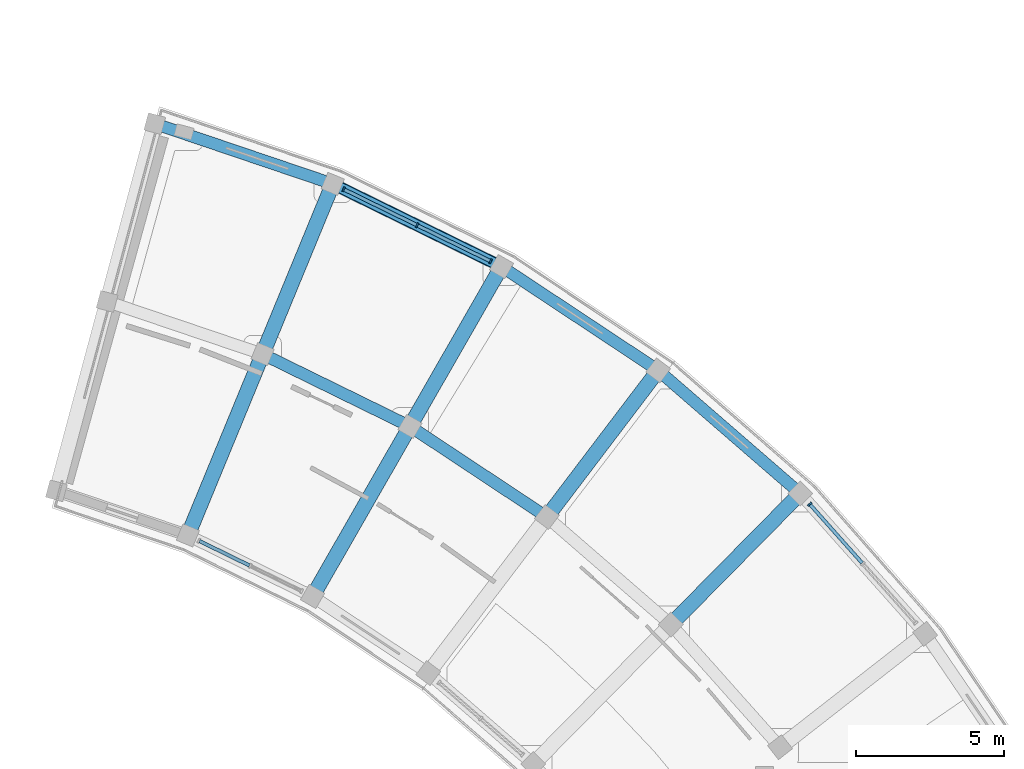
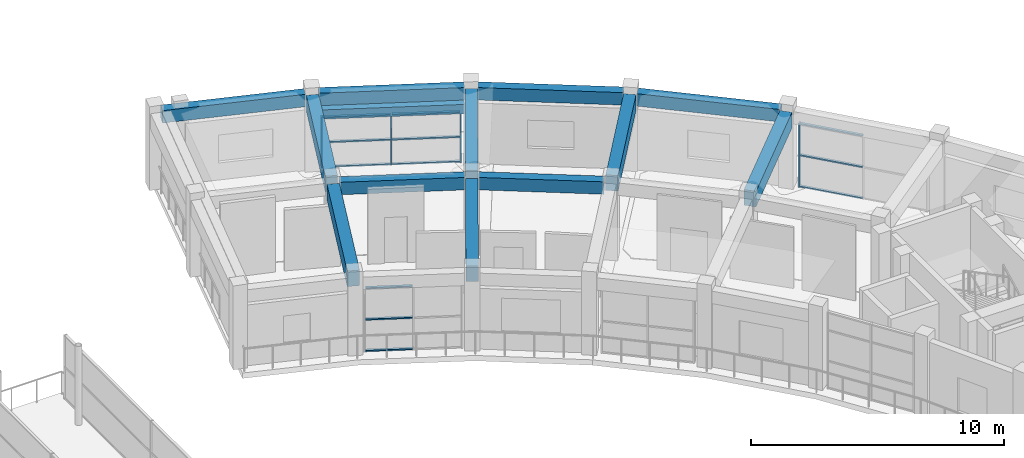
# One storey, part 36 of 72: 16 members, 13 beams, 3 elements without a shape of their own.
"""IFC4 building model written with IfcOpenShell, lengths in metres."""

from ifc_helpers import new_model, si_unit, direction, frame, origin, origin_2d, place, context, subcontext, project, spatial, rectangle, extrude, material, material_profile, profile_set, type_object, element, aggregate, save


model = new_model("IFC4")

# Units and contexts
model_context = context("Model", 3, precision=1e-05, world=origin(), true_north=direction((0.0, 1.0)))
body_context = subcontext(model_context, "Body", "Model", "MODEL_VIEW")
ifc_project = project(units=[si_unit("LENGTHUNIT", "METRE"), si_unit("AREAUNIT", "SQUARE_METRE"), si_unit("VOLUMEUNIT", "CUBIC_METRE"), si_unit("PLANEANGLEUNIT", "RADIAN"), si_unit("MASSUNIT", "GRAM", prefix="KILO")], contexts=[model_context])

# Site, building, storey
site_placement = place(None, origin())
site = spatial("IfcSite", under=ifc_project, at=site_placement, CompositionType="ELEMENT")
building_placement = place(site_placement, origin())
building = spatial("IfcBuilding", under=site, at=building_placement, Name="Saryqyr Civic Hall", CompositionType="ELEMENT")
storey_placement = place(building_placement, frame((0.0, 0.0, 17.25)))
storey = spatial("IfcBuildingStorey", under=building, at=storey_placement, Name="L04", CompositionType="ELEMENT", Elevation=17.25)

# Curtain wall, member
ifc_material_1 = material(Name="Anodised aluminium and triple low-E glass", Category="aluminium")
curtain_wall_type_1 = type_object("IfcCurtainWallType", Name="ENV-CW-STD-36", PredefinedType="NOTDEFINED", material=ifc_material_1)
curtain_wall_1_placement = place(storey_placement, origin())
curtain_wall_1 = element("IfcCurtainWall", 1, at=curtain_wall_1_placement, inside=storey, type_object=curtain_wall_type_1, Name="Curtain wall V6-CWO-L04-05", PredefinedType="NOTDEFINED")
ifc_material_2 = material(Name="Anodised aluminium", Category="aluminium")
ifc_material_profile_1 = material_profile(ifc_material_2, rectangle(XDim=0.06005859375, YDim=0.159912109375, at=origin_2d()), Name="ALU MULLION 60x160")
ifc_profile_set_1 = profile_set([ifc_material_profile_1], Name="Anodised aluminium")
member_type_1 = type_object("IfcMemberType", Name="ENV-CW-MUL-180", PredefinedType="MULLION", material=ifc_profile_set_1)
member_1_placement = place(storey_placement, frame((91.740234375, 118.514892578125, 0.0), z_axis=(0.0, 0.0, 1.0), x_axis=(0.664934159467, -0.746901977219, 0.0)))
member_1 = element("IfcMember", 2, at=member_1_placement, type_object=member_type_1, Name="CW-36 mullion 1", PredefinedType="MULLION", context=body_context, shape_type="SweptSolid", body=[
    extrude(rectangle(XDim=0.06005859375, YDim=0.159912109375, at=origin_2d()), origin(), (0.0, 0.0, 1.0), 3.0849609375),
])

# Curtain wall, members
curtain_wall_type_2 = type_object("IfcCurtainWallType", Name="ENV-CW-STD-03", PredefinedType="NOTDEFINED", material=ifc_material_1)
curtain_wall_2_placement = place(storey_placement, origin())
curtain_wall_2 = element("IfcCurtainWall", 3, at=curtain_wall_2_placement, inside=storey, type_object=curtain_wall_type_2, Name="Curtain wall V6-CWO-L04-08", PredefinedType="NOTDEFINED")
member_2_placement = place(storey_placement, frame((76.04345703125, 129.121337890625, 0.0), z_axis=(0.0, 0.0, 1.0), x_axis=(0.89797065456, -0.440055341463, 0.0)))
member_2 = element("IfcMember", 4, at=member_2_placement, type_object=member_type_1, Name="CW-03 mullion 1", PredefinedType="MULLION", context=body_context, shape_type="SweptSolid", body=[
    extrude(rectangle(XDim=0.06005859375, YDim=0.159912109375, at=origin_2d()), origin(), (0.0, 0.0, 1.0), 2.449951171875),
])
member_3_placement = place(storey_placement, frame((78.517822265625, 127.90869140625, 0.0), z_axis=(0.0, 0.0, 1.0), x_axis=(0.89797065456, -0.440055341463, 0.0)))
member_3 = element("IfcMember", 5, at=member_3_placement, type_object=member_type_1, Name="CW-03 mullion 2", PredefinedType="MULLION", context=body_context, shape_type="SweptSolid", body=[
    extrude(rectangle(XDim=0.06005859375, YDim=0.159912109375, at=origin_2d()), origin(), (0.0, 0.0, 1.0), 2.449951171875),
])
member_4_placement = place(storey_placement, frame((80.9921875, 126.696044921875, 0.0), z_axis=(0.0, 0.0, 1.0), x_axis=(0.89797065456, -0.440055341463, 0.0)))
member_4 = element("IfcMember", 6, at=member_4_placement, type_object=member_type_1, Name="CW-03 mullion 3", PredefinedType="MULLION", context=body_context, shape_type="SweptSolid", body=[
    extrude(rectangle(XDim=0.06005859375, YDim=0.159912109375, at=origin_2d()), origin(), (0.0, 0.0, 1.0), 2.449951171875),
])

# Member
ifc_material_profile_2 = material_profile(ifc_material_2, rectangle(XDim=0.1201171875, YDim=0.06005859375, at=origin_2d()), Name="ALU TRANSOM 120x60")
ifc_profile_set_2 = profile_set([ifc_material_profile_2], Name="Anodised aluminium")
member_type_2 = type_object("IfcMemberType", Name="ENV-CW-TRN-150", PredefinedType="USERDEFINED", material=ifc_profile_set_2)
member_5_placement = place(storey_placement, frame((91.76025390625, 118.492431640625, 0.030029296875), z_axis=(0.664948037302, -0.746889622159, 0.0), x_axis=(0.746889622159, 0.664948037302, 0.0)))
member_5 = element("IfcMember", 7, at=member_5_placement, type_object=member_type_2, Name="CW-36 transom 1.1", ObjectType="TRANSOM", PredefinedType="USERDEFINED", context=body_context, shape_type="SweptSolid", body=[
    extrude(rectangle(XDim=0.1201171875, YDim=0.06005859375, at=origin_2d()), origin(), (0.0, 0.0, 1.0), 2.618896484375),
])

member_6_placement = place(storey_placement, frame((91.76025390625, 118.492431640625, 1.54296875), z_axis=(0.664948037302, -0.746889622159, 0.0), x_axis=(0.746889622159, 0.664948037302, 0.0)))
member_6 = element("IfcMember", 8, at=member_6_placement, type_object=member_type_2, Name="CW-36 transom 1.2", ObjectType="TRANSOM", PredefinedType="USERDEFINED", context=body_context, shape_type="SweptSolid", body=[
    extrude(rectangle(XDim=0.1201171875, YDim=0.06005859375, at=origin_2d()), origin(), (0.0, 0.0, 1.0), 2.618896484375),
])

member_7_placement = place(storey_placement, frame((91.76025390625, 118.492431640625, 3.054931640625), z_axis=(0.664948037302, -0.746889622159, 0.0), x_axis=(0.746889622159, 0.664948037302, 0.0)))
member_7 = element("IfcMember", 9, at=member_7_placement, type_object=member_type_2, Name="CW-36 transom 1.3", ObjectType="TRANSOM", PredefinedType="USERDEFINED", context=body_context, shape_type="SweptSolid", body=[
    extrude(rectangle(XDim=0.1201171875, YDim=0.06005859375, at=origin_2d()), origin(), (0.0, 0.0, 1.0), 2.618896484375),
])

aggregate(curtain_wall_1, [member_1, member_5, member_6, member_7])

member_8_placement = place(storey_placement, frame((76.0703125, 129.108154296875, 0.030029296875), z_axis=(0.897949498933, -0.440098508706, 0.0), x_axis=(0.440098508706, 0.897949498933, 0.0)))
member_8 = element("IfcMember", 10, at=member_8_placement, type_object=member_type_2, Name="CW-03 transom 1.1", ObjectType="TRANSOM", PredefinedType="USERDEFINED", context=body_context, shape_type="SweptSolid", body=[
    extrude(rectangle(XDim=0.1201171875, YDim=0.06005859375, at=origin_2d()), origin(), (0.0, 0.0, 1.0), 2.695556640625),
])

member_9_placement = place(storey_placement, frame((76.0703125, 129.108154296875, 1.22509765625), z_axis=(0.897949498933, -0.440098508706, 0.0), x_axis=(0.440098508706, 0.897949498933, 0.0)))
member_9 = element("IfcMember", 11, at=member_9_placement, type_object=member_type_2, Name="CW-03 transom 1.2", ObjectType="TRANSOM", PredefinedType="USERDEFINED", context=body_context, shape_type="SweptSolid", body=[
    extrude(rectangle(XDim=0.1201171875, YDim=0.06005859375, at=origin_2d()), origin(), (0.0, 0.0, 1.0), 2.695556640625),
])

member_10_placement = place(storey_placement, frame((76.0703125, 129.108154296875, 2.419921875), z_axis=(0.897949498933, -0.440098508706, 0.0), x_axis=(0.440098508706, 0.897949498933, 0.0)))
member_10 = element("IfcMember", 12, at=member_10_placement, type_object=member_type_2, Name="CW-03 transom 1.3", ObjectType="TRANSOM", PredefinedType="USERDEFINED", context=body_context, shape_type="SweptSolid", body=[
    extrude(rectangle(XDim=0.1201171875, YDim=0.06005859375, at=origin_2d()), origin(), (0.0, 0.0, 1.0), 2.695556640625),
])

member_11_placement = place(storey_placement, frame((78.544677734375, 127.8955078125, 0.030029296875), z_axis=(0.89796703975, -0.440062717715, 0.0), x_axis=(0.440062717715, 0.89796703975, 0.0)))
member_11 = element("IfcMember", 13, at=member_11_placement, type_object=member_type_2, Name="CW-03 transom 2.1", ObjectType="TRANSOM", PredefinedType="USERDEFINED", context=body_context, shape_type="SweptSolid", body=[
    extrude(rectangle(XDim=0.1201171875, YDim=0.06005859375, at=origin_2d()), origin(), (0.0, 0.0, 1.0), 2.69580078125),
])

member_12_placement = place(storey_placement, frame((78.544677734375, 127.8955078125, 1.22509765625), z_axis=(0.89796703975, -0.440062717715, 0.0), x_axis=(0.440062717715, 0.89796703975, 0.0)))
member_12 = element("IfcMember", 14, at=member_12_placement, type_object=member_type_2, Name="CW-03 transom 2.2", ObjectType="TRANSOM", PredefinedType="USERDEFINED", context=body_context, shape_type="SweptSolid", body=[
    extrude(rectangle(XDim=0.1201171875, YDim=0.06005859375, at=origin_2d()), origin(), (0.0, 0.0, 1.0), 2.69580078125),
])

member_13_placement = place(storey_placement, frame((78.544677734375, 127.8955078125, 2.419921875), z_axis=(0.89796703975, -0.440062717715, 0.0), x_axis=(0.440062717715, 0.89796703975, 0.0)))
member_13 = element("IfcMember", 15, at=member_13_placement, type_object=member_type_2, Name="CW-03 transom 2.3", ObjectType="TRANSOM", PredefinedType="USERDEFINED", context=body_context, shape_type="SweptSolid", body=[
    extrude(rectangle(XDim=0.1201171875, YDim=0.06005859375, at=origin_2d()), origin(), (0.0, 0.0, 1.0), 2.69580078125),
])

aggregate(curtain_wall_2, [member_2, member_3, member_4, member_8, member_9, member_10, member_11, member_12, member_13])

# Curtain wall, members
curtain_wall_type_3 = type_object("IfcCurtainWallType", Name="ENV-CW-STD-17", PredefinedType="NOTDEFINED", material=ifc_material_1)
curtain_wall_3_placement = place(storey_placement, origin())
curtain_wall_3 = element("IfcCurtainWall", 16, at=curtain_wall_3_placement, inside=storey, type_object=curtain_wall_type_3, Name="Curtain wall V6-CWI-L04-08", PredefinedType="NOTDEFINED")
member_14_placement = place(storey_placement, frame((72.869873046875, 116.451904296875, 0.030029296875), z_axis=(-0.897952102471, 0.44009319657, 0.0), x_axis=(-0.44009319657, -0.897952102471, 0.0)))
member_14 = element("IfcMember", 17, at=member_14_placement, type_object=member_type_2, Name="CW-17 transom 2.1", ObjectType="TRANSOM", PredefinedType="USERDEFINED", context=body_context, shape_type="SweptSolid", body=[
    extrude(rectangle(XDim=0.1201171875, YDim=0.06005859375, at=origin_2d()), origin(), (0.0, 0.0, 1.0), 1.868896484375),
])
member_15_placement = place(storey_placement, frame((72.869873046875, 116.451904296875, 1.54296875), z_axis=(-0.897952102471, 0.44009319657, 0.0), x_axis=(-0.44009319657, -0.897952102471, 0.0)))
member_15 = element("IfcMember", 18, at=member_15_placement, type_object=member_type_2, Name="CW-17 transom 2.2", ObjectType="TRANSOM", PredefinedType="USERDEFINED", context=body_context, shape_type="SweptSolid", body=[
    extrude(rectangle(XDim=0.1201171875, YDim=0.06005859375, at=origin_2d()), origin(), (0.0, 0.0, 1.0), 1.868896484375),
])
member_16_placement = place(storey_placement, frame((72.869873046875, 116.451904296875, 3.054931640625), z_axis=(-0.897952102471, 0.44009319657, 0.0), x_axis=(-0.44009319657, -0.897952102471, 0.0)))
member_16 = element("IfcMember", 19, at=member_16_placement, type_object=member_type_2, Name="CW-17 transom 2.3", ObjectType="TRANSOM", PredefinedType="USERDEFINED", context=body_context, shape_type="SweptSolid", body=[
    extrude(rectangle(XDim=0.1201171875, YDim=0.06005859375, at=origin_2d()), origin(), (0.0, 0.0, 1.0), 1.868896484375),
])
aggregate(curtain_wall_3, [member_14, member_15, member_16])

# Beams
ifc_material_3 = material(Name="Concrete C35/45", Category="concrete")
ifc_material_profile_3 = material_profile(ifc_material_3, rectangle(XDim=0.39990234375, YDim=0.60009765625, at=origin_2d()), Name="RC 400x600")
ifc_profile_set_3 = profile_set([ifc_material_profile_3], Name="Concrete C35/45")
beam_type_1 = type_object("IfcBeamType", Name="STR-BM-RC400x600", PredefinedType="BEAM", material=ifc_profile_set_3)
for number, where, z_axis, x_axis, name in (
    (20, (82.656494140625, 118.236572265625, 3.409912109375), (-0.833759218515, 0.552128214767, 0.0), (-0.552128214767, -0.833759218515, 0.0), "Beam V6-CBM-MID07-L04"),
    (21, (78.030029296875, 121.257568359375, 3.409912109375), (-0.897969369862, 0.440057962989, 0.0), (-0.440057962989, -0.897969369862, 0.0), "Beam V6-CBM-MID08-L04"),
):
    element("IfcBeam", number, at=place(storey_placement, frame(where, z_axis=z_axis, x_axis=x_axis)), inside=storey, type_object=beam_type_1, Name=name, PredefinedType="BEAM", context=body_context, shape_type="SweptSolid", body=[
        extrude(rectangle(XDim=0.39990234375, YDim=0.60009765625, at=origin_2d()), origin(), (0.0, 0.0, 1.0), 4.9775390625),
    ])
ifc_material_profile_4 = material_profile(ifc_material_3, rectangle(XDim=0.39990234375, YDim=0.60009765625, at=origin_2d()), Name="RC 400x600")
ifc_profile_set_4 = profile_set([ifc_material_profile_4], Name="Concrete C35/45")
beam_type_2 = type_object("IfcBeamType", Name="STR-BM-RC400x600-EXT", PredefinedType="BEAM", material=ifc_profile_set_4)
beam_1_placement = place(storey_placement, frame((91.2099609375, 119.057373046875, 3.409912109375), z_axis=(-0.755654230233, 0.654970750745, 0.0), x_axis=(-0.654970750745, -0.755654230233, 0.0)))
element("IfcBeam", 22, at=beam_1_placement, inside=storey, type_object=beam_type_2, Name="Beam V6-CBM-OUT06-L04", PredefinedType="BEAM", context=body_context, shape_type="SweptSolid", body=[
    extrude(rectangle(XDim=0.39990234375, YDim=0.60009765625, at=origin_2d()), origin(), (0.0, 0.0, 1.0), 5.7783203125),
])
for number, where, z_axis, x_axis, name in (
    (23, (86.40625, 123.174072265625, 3.409912109375), (-0.833762314581, 0.552123539422, 0.0), (-0.552123539422, -0.833762314581, 0.0), "Beam V6-CBM-OUT07-L04"),
    (24, (81.1123046875, 126.63720703125, 3.409912109375), (-0.897964591433, 0.440067713577, 0.0), (-0.440067713577, -0.897964591433, 0.0), "Beam V6-CBM-OUT08-L04"),
    (25, (75.416015625, 129.389404296875, 3.409912109375), (-0.947202743772, 0.320635247892, 0.0), (-0.320635247892, -0.947202743772, 0.0), "Beam V6-CBM-OUT09-L04"),
):
    element("IfcBeam", number, at=place(storey_placement, frame(where, z_axis=z_axis, x_axis=x_axis)), inside=storey, type_object=beam_type_2, Name=name, PredefinedType="BEAM", context=body_context, shape_type="SweptSolid", body=[
        extrude(rectangle(XDim=0.39990234375, YDim=0.60009765625, at=origin_2d()), origin(), (0.0, 0.0, 1.0), 5.778564453125),
    ])
ifc_material_4 = material(Name="Concrete C40/50", Category="concrete")
ifc_material_profile_5 = material_profile(ifc_material_4, rectangle(XDim=0.5, YDim=0.75, at=origin_2d()), Name="RC 500x750")
ifc_profile_set_5 = profile_set([ifc_material_profile_5], Name="Concrete C40/50")
beam_type_3 = type_object("IfcBeamType", Name="STR-BM-RC500x750", PredefinedType="BEAM", material=ifc_profile_set_5)
for number, where, z_axis, x_axis, name in (
    (26, (87.256103515625, 114.659912109375, 3.3349609375), (0.702381187414, 0.711801002785, 0.0), (-0.711801002785, 0.702381187414, 0.0), "Beam V6-RBM-B06-L04"),
    (27, (83.052001953125, 118.3037109375, 3.3349609375), (0.604814812056, 0.796366148903, 0.0), (-0.796366148903, 0.604814812056, 0.0), "Beam V6-RBM-B07-L04"),
):
    element("IfcBeam", number, at=place(storey_placement, frame(where, z_axis=z_axis, x_axis=x_axis)), inside=storey, type_object=beam_type_3, Name=name, PredefinedType="BEAM", context=body_context, shape_type="SweptSolid", body=[
        extrude(rectangle(XDim=0.5, YDim=0.75, at=origin_2d()), origin(), (0.0, 0.0, 1.0), 5.650146484375),
    ])
beam_2_placement = place(storey_placement, frame((75.132568359375, 115.648681640625, 3.3349609375), z_axis=(0.497164210685, 0.867656468664, 0.0), x_axis=(-0.867656468664, 0.497164210685, 0.0)))
element("IfcBeam", 28, at=beam_2_placement, inside=storey, type_object=beam_type_3, Name="Beam V6-RBM-A08-L04", PredefinedType="BEAM", context=body_context, shape_type="SweptSolid", body=[
    extrude(rectangle(XDim=0.5, YDim=0.75, at=origin_2d()), origin(), (0.0, 0.0, 1.0), 6.050048828125),
])
beam_3_placement = place(storey_placement, frame((78.413818359375, 121.375244140625, 3.3349609375), z_axis=(0.497106570518, 0.867689493741, 0.0), x_axis=(-0.867689493741, 0.497106570518, 0.0)))
element("IfcBeam", 29, at=beam_3_placement, inside=storey, type_object=beam_type_3, Name="Beam V6-RBM-B08-L04", PredefinedType="BEAM", context=body_context, shape_type="SweptSolid", body=[
    extrude(rectangle(XDim=0.5, YDim=0.75, at=origin_2d()), origin(), (0.0, 0.0, 1.0), 5.64990234375),
])
beam_4_placement = place(storey_placement, frame((70.902587890625, 117.7216796875, 3.3349609375), z_axis=(0.381145552092, 0.924515044832, 0.0), x_axis=(-0.924515044832, 0.381145552092, 0.0)))
element("IfcBeam", 30, at=beam_4_placement, inside=storey, type_object=beam_type_3, Name="Beam V6-RBM-A09-L04", PredefinedType="BEAM", context=body_context, shape_type="SweptSolid", body=[
    extrude(rectangle(XDim=0.5, YDim=0.75, at=origin_2d()), origin(), (0.0, 0.0, 1.0), 6.050048828125),
])
beam_5_placement = place(storey_placement, frame((73.418212890625, 123.8232421875, 3.3349609375), z_axis=(0.381114889866, 0.924527685212, 0.0), x_axis=(-0.924527685212, 0.381114889866, 0.0)))
element("IfcBeam", 31, at=beam_5_placement, inside=storey, type_object=beam_type_3, Name="Beam V6-RBM-B09-L04", PredefinedType="BEAM", context=body_context, shape_type="SweptSolid", body=[
    extrude(rectangle(XDim=0.5, YDim=0.75, at=origin_2d()), origin(), (0.0, 0.0, 1.0), 5.650146484375),
])
ifc_material_5 = material(Name="Precast concrete C40/50", Category="concrete")
ifc_material_profile_6 = material_profile(ifc_material_5, rectangle(XDim=0.35009765625, YDim=0.449951171875, at=origin_2d()), Name="RC 350x450")
ifc_profile_set_6 = profile_set([ifc_material_profile_6], Name="Precast concrete C40/50")
beam_type_4 = type_object("IfcBeamType", Name="STR-LIN-RC350x450", PredefinedType="LINTEL", material=ifc_profile_set_6)
beam_6_placement = place(storey_placement, frame((81.1123046875, 126.63720703125, 2.655029296875), z_axis=(-0.897964591433, 0.440067713577, 0.0), x_axis=(-0.440067713577, -0.897964591433, 0.0)))
element("IfcBeam", 32, at=beam_6_placement, inside=storey, type_object=beam_type_4, Name="Beam V6-LIN-08-L04", PredefinedType="LINTEL", context=body_context, shape_type="SweptSolid", body=[
    extrude(rectangle(XDim=0.35009765625, YDim=0.449951171875, at=origin_2d()), origin(), (0.0, 0.0, 1.0), 5.778564453125),
])

save(model, "model.ifc")
